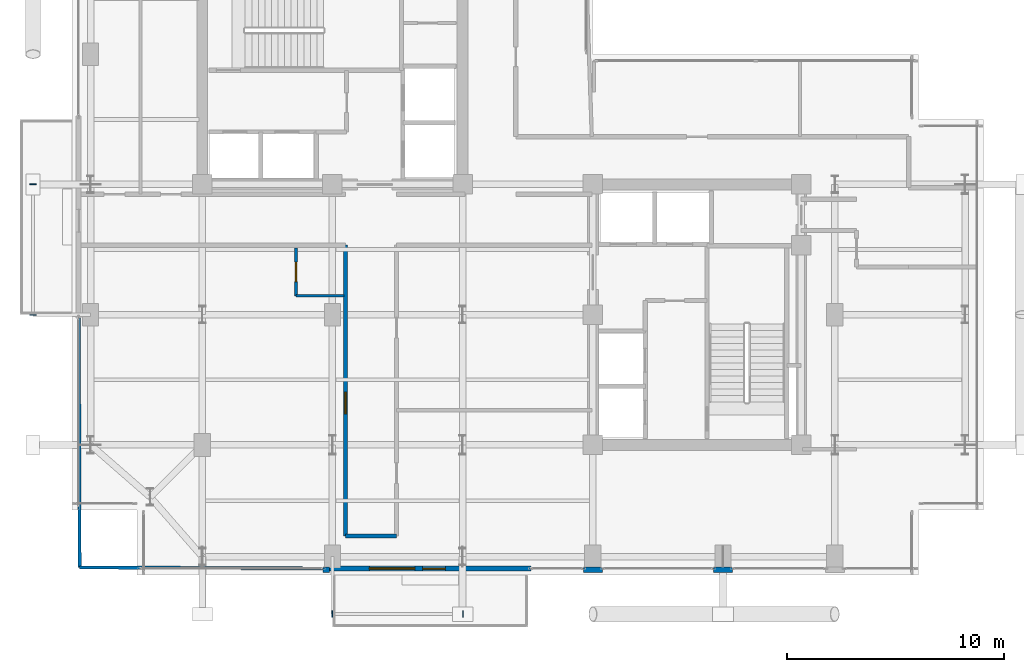
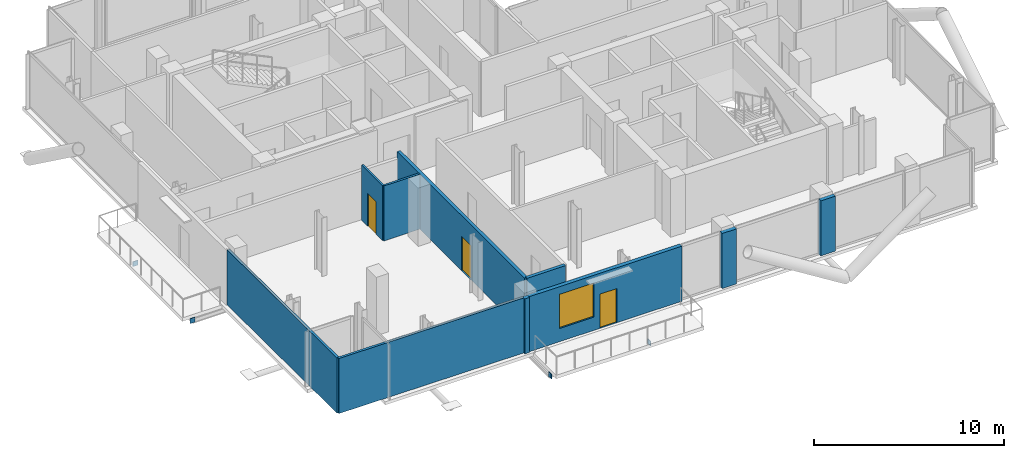
# One storey, part 16 of 21: 10 walls, 4 plates, 3 doors, 1 window, 4 openings.
"""IFC4 building model written with IfcOpenShell, lengths in metres."""

from ifc_helpers import new_model, si_unit, direction, frame, frame_2d, origin, origin_2d, place, context, subcontext, project, spatial, rectangle, extrude, material, layer, layer_set, type_object, element, fill, save


model = new_model("IFC4")

# Units and contexts
model_context = context("Model", 3, precision=1e-05, world=origin(), true_north=direction((0.0, 1.0)))
body_context = subcontext(model_context, "Body", "Model", "MODEL_VIEW")
ifc_project = project(units=[si_unit("LENGTHUNIT", "METRE"), si_unit("AREAUNIT", "SQUARE_METRE"), si_unit("VOLUMEUNIT", "CUBIC_METRE"), si_unit("PLANEANGLEUNIT", "RADIAN"), si_unit("MASSUNIT", "GRAM", prefix="KILO"), si_unit("THERMODYNAMICTEMPERATUREUNIT", "KELVIN"), si_unit("POWERUNIT", "WATT")], contexts=[model_context])

# Site, building, storey
site_placement = place(None, origin())
site = spatial("IfcSite", under=ifc_project, at=site_placement, CompositionType="ELEMENT")
building_placement = place(site_placement, origin())
building = spatial("IfcBuilding", under=site, at=building_placement, Name="Svarakhadi Broadcast Tower", CompositionType="ELEMENT")
storey_placement = place(building_placement, frame((0.0, 0.0, 219.89990234375)))
storey = spatial("IfcBuildingStorey", under=building, at=storey_placement, Name="L54", CompositionType="ELEMENT", Elevation=219.89990234375)

# Plates
ifc_material_1 = material(Name="Steel S460ML (IS 2062 E450BR)", Category="steel")
ifc_layer_1 = layer(ifc_material_1, 0.028076171875)
ifc_layer_set_1 = layer_set([ifc_layer_1], Name="Steel S460ML (IS 2062 E450BR)")
plate_type = type_object("IfcPlateType", Name="Cap_Plate_CP02", PredefinedType="USERDEFINED", material=ifc_layer_set_1)
for number, where, z_axis, x_axis, name in (
    (1, (11.985107421875, -1.800048828125, -0.5048828125), (0.0, 0.0, 1.0), (1.0, 0.0, 0.0), "L54 Balcony Spandrel End Cap Plate 1F-A"),
    (2, (18.014892578125, -1.800048828125, -0.5048828125), (0.0, 0.0, 1.0), (1.0, 0.0, 0.0), "L54 Balcony Spandrel End Cap Plate 1F-B"),
):
    element("IfcPlate", number, at=place(storey_placement, frame(where, z_axis=z_axis, x_axis=x_axis)), inside=storey, type_object=plate_type, Name=name, ObjectType="FLANGE_PLATE", PredefinedType="USERDEFINED", context=body_context, shape_type="SweptSolid", body=[
        extrude(rectangle(XDim=0.0400390625, YDim=0.300048828125, at=origin_2d()), origin(), (0.0, 0.0, 1.0), 0.31005859375),
    ])
for number, where, z_axis, x_axis, name in (
    (3, (-1.800048828125, 11.985107421875, -0.5048828125), (0.0, 0.0, 1.0), (1.0, 0.0, 0.0), "L54 Balcony Spandrel End Cap Plate 2F-A"),
    (4, (-1.800048828125, 18.014892578125, -0.5048828125), (0.0, 0.0, 1.0), (1.0, 0.0, 0.0), "L54 Balcony Spandrel End Cap Plate 2F-B"),
):
    element("IfcPlate", number, at=place(storey_placement, frame(where, z_axis=z_axis, x_axis=x_axis)), inside=storey, type_object=plate_type, Name=name, ObjectType="FLANGE_PLATE", PredefinedType="USERDEFINED", context=body_context, shape_type="SweptSolid", body=[
        extrude(rectangle(XDim=0.300048828125, YDim=0.0400390625, at=origin_2d()), origin(), (0.0, 0.0, 1.0), 0.31005859375),
    ])

# Wall, openings, door, window
ifc_material_2 = material(Name="Concrete C40/50 (IS 456 M50)", Category="concrete")
ifc_layer_2 = layer(ifc_material_2, 0.239990234375)
ifc_layer_set_2 = layer_set([ifc_layer_2], Name="Concrete C40/50 (IS 456 M50)")
wall_type_1 = type_object("IfcWallType", Name="Wall_Ext_240", PredefinedType="SOLIDWALL", material=ifc_layer_set_2)
wall_1_placement = place(storey_placement, frame((21.14501953125, 0.300048828125, 0.0), z_axis=(0.0, 0.0, 1.0), x_axis=(-1.0, 0.0, 0.0)))
wall_1 = element("IfcWall", 5, at=wall_1_placement, inside=storey, type_object=wall_type_1, Name="L54 South Tree Balcony Spandrel Wall", PredefinedType="SOLIDWALL", context=body_context, shape_type="SweptSolid", body=[
    extrude(rectangle(XDim=9.2900390625, YDim=0.239990234375, at=frame_2d((4.64501953125, 0.0))), origin(), (0.0, 0.0, 1.0), 3.5400390625),
])
opening_1_placement = place(wall_1_placement, frame((3.945068359375, 0.0, 0.0)))
opening_1 = element("IfcOpeningElement", 6, at=opening_1_placement, cuts=wall_1, Name="Opening ED-06", PredefinedType="OPENING", context=body_context, shape_type="SweptSolid", body=[
    extrude(rectangle(XDim=1.050048828125, YDim=2.199951171875, at=frame_2d((0.52490234375, 1.10009765625))), frame((0.0, 0.1298828125, 0.0), z_axis=(0.0, -1.0, 0.0), x_axis=(1.0, 0.0, 0.0)), (0.0, 0.0, 1.0), 0.260009765625),
])
opening_2_placement = place(wall_1_placement, frame((5.344970703125, 0.0, 0.85009765625)))
opening_2 = element("IfcOpeningElement", 7, at=opening_2_placement, cuts=wall_1, Name="Opening WN-06", PredefinedType="OPENING", context=body_context, shape_type="SweptSolid", body=[
    extrude(rectangle(XDim=2.10009765625, YDim=2.199951171875, at=frame_2d((1.050048828125, 1.10009765625))), frame((0.0, 0.1298828125, 0.0), z_axis=(0.0, -1.0, 0.0), x_axis=(1.0, 0.0, 0.0)), (0.0, 0.0, 1.0), 0.260009765625),
])
ifc_material_3 = material(Name="Anodised Bronze Aluminium AA 6063-T6", Category="aluminium")
door_type_1 = type_object("IfcDoorType", Name="Door_Ext_ED06", OperationType="SINGLE_SWING_RIGHT", PredefinedType="DOOR", material=ifc_material_3)
door_1_placement = place(opening_1_placement, origin())
door_1 = element("IfcDoor", 8, at=door_1_placement, inside=storey, type_object=door_type_1, Name="L54 South Tree Balcony Door", OperationType="SINGLE_SWING_RIGHT", OverallHeight=2.199951171875, OverallWidth=1.050048828125, PredefinedType="DOOR", context=body_context, shape_type="SweptSolid", body=[
    extrude(rectangle(XDim=1.050048828125, YDim=2.199951171875, at=frame_2d((0.52490234375, 1.10009765625))), frame((0.0, 0.02490234375, 0.0), z_axis=(0.0, -1.0, 0.0), x_axis=(1.0, 0.0, 0.0)), (0.0, 0.0, 1.0), 0.050048828125),
])
fill(opening_1, door_1)
ifc_material_4 = material(Name="Double Low-E Laminated Acoustic Glass IGU 36 mm", Category="glass")
window_type = type_object("IfcWindowType", Name="Win_Hotel_WN06", PartitioningType="SINGLE_PANEL", PredefinedType="WINDOW", material=ifc_material_4)
window_placement = place(opening_2_placement, origin())
window = element("IfcWindow", 9, at=window_placement, inside=storey, type_object=window_type, Name="L54 South Tree Balcony Window", OverallHeight=2.199951171875, OverallWidth=2.10009765625, PartitioningType="SINGLE_PANEL", PredefinedType="WINDOW", context=body_context, shape_type="SweptSolid", body=[
    extrude(rectangle(XDim=2.10009765625, YDim=2.199951171875, at=frame_2d((1.050048828125, 1.10009765625))), frame((0.0, 0.030029296875, 0.0), z_axis=(0.0, -1.0, 0.0), x_axis=(1.0, 0.0, 0.0)), (0.0, 0.0, 1.0), 0.06005859375),
])
fill(opening_2, window)

# Walls
for number, where, z_axis, x_axis, name in (
    (10, (30.43994140625, 0.239990234375, 0.0), (0.0, 0.0, 1.0), (-1.0, 0.0, 0.0), "L54 Perimeter Bronze Spandrel Closure Wall 04"),
    (11, (24.43994140625, 0.239990234375, 0.0), (0.0, 0.0, 1.0), (-1.0, 0.0, 0.0), "L54 Perimeter Bronze Spandrel Closure Wall 05"),
):
    element("IfcWall", number, at=place(storey_placement, frame(where, z_axis=z_axis, x_axis=x_axis)), inside=storey, type_object=wall_type_1, Name=name, PredefinedType="SOLIDWALL", context=body_context, shape_type="SweptSolid", body=[
        extrude(rectangle(XDim=0.8798828125, YDim=0.239990234375, at=frame_2d((0.43994140625, 0.0))), origin(), (0.0, 0.0, 1.0), 3.5400390625),
    ])
wall_2_placement = place(storey_placement, frame((11.85498046875, 0.239990234375, 0.0), z_axis=(0.0, 0.0, 1.0), x_axis=(-1.0, 0.0, 0.0)))
element("IfcWall", 12, at=wall_2_placement, inside=storey, type_object=wall_type_1, Name="L54 Perimeter Bronze Spandrel Closure Wall 06", PredefinedType="SOLIDWALL", context=body_context, shape_type="SweptSolid", body=[
    extrude(rectangle(XDim=0.294921875, YDim=0.239990234375, at=frame_2d((0.1474609375, 0.0))), origin(), (0.0, 0.0, 1.0), 3.5400390625),
])
ifc_layer_3 = layer(ifc_material_2, 0.199951171875)
ifc_layer_set_3 = layer_set([ifc_layer_3], Name="Concrete C40/50 (IS 456 M50)")
wall_type_2 = type_object("IfcWallType", Name="Wall_Fire_200", PredefinedType="SOLIDWALL", material=ifc_layer_set_3)
wall_3_placement = place(storey_placement, frame((14.949951171875, 1.800048828125, 0.0), z_axis=(0.0, 0.0, 1.0), x_axis=(-1.0, 0.0, 0.0)))
element("IfcWall", 13, at=wall_3_placement, inside=storey, type_object=wall_type_2, Name="L54 Upper Tower Concourse Wall", PredefinedType="SOLIDWALL", context=body_context, shape_type="SweptSolid", body=[
    extrude(rectangle(XDim=2.349853515625, YDim=0.199951171875, at=frame_2d((1.1748046875, 0.0))), origin(), (0.0, 0.0, 1.0), 3.5400390625),
])

# Wall, opening, door
wall_4_placement = place(storey_placement, frame((12.60009765625, 1.800048828125, 0.0), z_axis=(0.0, 0.0, 1.0), x_axis=(0.0, 1.0, 0.0)))
wall_4 = element("IfcWall", 14, at=wall_4_placement, inside=storey, type_object=wall_type_2, Name="L54 Upper Tower Concourse Wall", PredefinedType="SOLIDWALL", context=body_context, shape_type="SweptSolid", body=[
    extrude(rectangle(XDim=13.39990234375, YDim=0.199951171875, at=frame_2d((6.699951171875, 0.0))), origin(), (0.0, 0.0, 1.0), 3.5400390625),
])
opening_3_placement = place(wall_4_placement, frame((5.625, 0.0, 0.0)))
opening_3 = element("IfcOpeningElement", 15, at=opening_3_placement, cuts=wall_4, Name="Opening D-09", PredefinedType="OPENING", context=body_context, shape_type="SweptSolid", body=[
    extrude(rectangle(XDim=1.0, YDim=2.199951171875, at=frame_2d((0.5, 1.10009765625))), frame((0.0, 0.10986328125, 0.0), z_axis=(0.0, -1.0, 0.0), x_axis=(1.0, 0.0, 0.0)), (0.0, 0.0, 1.0), 0.219970703125),
])
ifc_material_5 = material(Name="Solid-Core Teak Veneer Acoustic Timber Leaf", Category="wood")
door_type_2 = type_object("IfcDoorType", Name="Door_Suite_D09", OperationType="SINGLE_SWING_RIGHT", PredefinedType="DOOR", material=ifc_material_5)
door_2_placement = place(opening_3_placement, origin())
door_2 = element("IfcDoor", 16, at=door_2_placement, inside=storey, type_object=door_type_2, Name="L54 Royal Broadcast Ambassador Suite Entrance Door", OperationType="SINGLE_SWING_RIGHT", OverallHeight=2.199951171875, OverallWidth=1.0, PredefinedType="DOOR", context=body_context, shape_type="SweptSolid", body=[
    extrude(rectangle(XDim=1.0, YDim=2.199951171875, at=frame_2d((0.5, 1.10009765625))), frame((0.0, 0.02490234375, 0.0), z_axis=(0.0, -1.0, 0.0), x_axis=(1.0, 0.0, 0.0)), (0.0, 0.0, 1.0), 0.050048828125),
])
fill(opening_3, door_2)

# Wall
ifc_material_6 = material(Name="Fire-Rated Moisture-Resistant Gypsum Board Partition", Category="gypsum")
ifc_layer_4 = layer(ifc_material_6, 0.125)
ifc_layer_set_4 = layer_set([ifc_layer_4], Name="Fire-Rated Moisture-Resistant Gypsum Board Partition")
wall_type_3 = type_object("IfcWallType", Name="Wall_Part_125", PredefinedType="PARTITIONING", material=ifc_layer_set_4)
wall_5_placement = place(storey_placement, frame((10.320068359375, 12.8701171875, 0.0), z_axis=(0.0, 0.0, 1.0), x_axis=(1.0, 0.0, 0.0)))
element("IfcWall", 17, at=wall_5_placement, inside=storey, type_object=wall_type_3, Name="L54 Royal Broadcast Ambassador Suite En-Suite Wall", PredefinedType="PARTITIONING", context=body_context, shape_type="SweptSolid", body=[
    extrude(rectangle(XDim=2.199951171875, YDim=0.125, at=frame_2d((1.10009765625, 0.0))), origin(), (0.0, 0.0, 1.0), 3.5400390625),
])

# Wall, opening, door
wall_6_placement = place(storey_placement, frame((10.320068359375, 12.8701171875, 0.0), z_axis=(0.0, 0.0, 1.0), x_axis=(0.0, 1.0, 0.0)))
wall_6 = element("IfcWall", 18, at=wall_6_placement, inside=storey, type_object=wall_type_3, Name="L54 Royal Broadcast Ambassador Suite En-Suite Wall", PredefinedType="PARTITIONING", context=body_context, shape_type="SweptSolid", body=[
    extrude(rectangle(XDim=2.199951171875, YDim=0.125, at=frame_2d((1.10009765625, 0.0))), origin(), (0.0, 0.0, 1.0), 3.5400390625),
])
opening_4_placement = place(wall_6_placement, frame((0.64990234375, 0.0, 0.0)))
opening_4 = element("IfcOpeningElement", 19, at=opening_4_placement, cuts=wall_6, Name="Opening D-12", PredefinedType="OPENING", context=body_context, shape_type="SweptSolid", body=[
    extrude(rectangle(XDim=0.89990234375, YDim=2.10009765625, at=frame_2d((0.449951171875, 1.050048828125))), frame((0.0, 0.072509765625, 0.0), z_axis=(0.0, -1.0, 0.0), x_axis=(1.0, 0.0, 0.0)), (0.0, 0.0, 1.0), 0.14501953125),
])
door_type_3 = type_object("IfcDoorType", Name="Door_WC_D01", OperationType="SINGLE_SWING_LEFT", PredefinedType="DOOR", material=ifc_material_5)
door_3_placement = place(opening_4_placement, origin())
door_3 = element("IfcDoor", 20, at=door_3_placement, inside=storey, type_object=door_type_3, Name="L54 Royal Broadcast Ambassador Suite En-Suite Door", OperationType="SINGLE_SWING_LEFT", OverallHeight=2.10009765625, OverallWidth=0.89990234375, PredefinedType="DOOR", context=body_context, shape_type="SweptSolid", body=[
    extrude(rectangle(XDim=0.89990234375, YDim=2.10009765625, at=frame_2d((0.449951171875, 1.050048828125))), frame((0.0, 0.02490234375, 0.0), z_axis=(0.0, -1.0, 0.0), x_axis=(1.0, 0.0, 0.0)), (0.0, 0.0, 1.0), 0.050048828125),
])
fill(opening_4, door_3)

# Walls
ifc_material_7 = material(Name="Autoclaved Aerated Concrete Blockwork 150 mm", Category="masonry")
ifc_layer_5 = layer(ifc_material_7, 0.14990234375)
ifc_layer_set_5 = layer_set([ifc_layer_5], Name="Autoclaved Aerated Concrete Blockwork 150 mm")
wall_type_4 = type_object("IfcWallType", Name="Wall_Part_150", PredefinedType="PARTITIONING", material=ifc_layer_set_5)
wall_7_placement = place(storey_placement, frame((0.35009765625, 0.35009765625, 0.0), z_axis=(0.0, 0.0, 1.0), x_axis=(0.999991617913, -0.004094398993, 0.0)))
element("IfcWall", 21, at=wall_7_placement, inside=storey, type_object=wall_type_4, Name="L54 Royal Broadcast Ambassador Suite Wall", PredefinedType="PARTITIONING", context=body_context, shape_type="SweptSolid", body=[
    extrude(rectangle(XDim=11.2099609375, YDim=0.14990234375, at=frame_2d((5.60498046875, 0.0))), origin(), (0.0, 0.0, 1.0), 3.5400390625),
])
wall_8_placement = place(storey_placement, frame((0.35009765625, 0.35009765625, 0.0), z_axis=(0.0, 0.0, 1.0), x_axis=(-0.003374057698, 0.999994307851, 0.0)))
element("IfcWall", 22, at=wall_8_placement, inside=storey, type_object=wall_type_4, Name="L54 Royal Broadcast Ambassador Suite Wall", PredefinedType="PARTITIONING", context=body_context, shape_type="SweptSolid", body=[
    extrude(rectangle(XDim=11.5048828125, YDim=0.14990234375, at=frame_2d((5.75244140625, 0.0))), origin(), (0.0, 0.0, 1.0), 3.5400390625),
])

save(model, "model.ifc")
